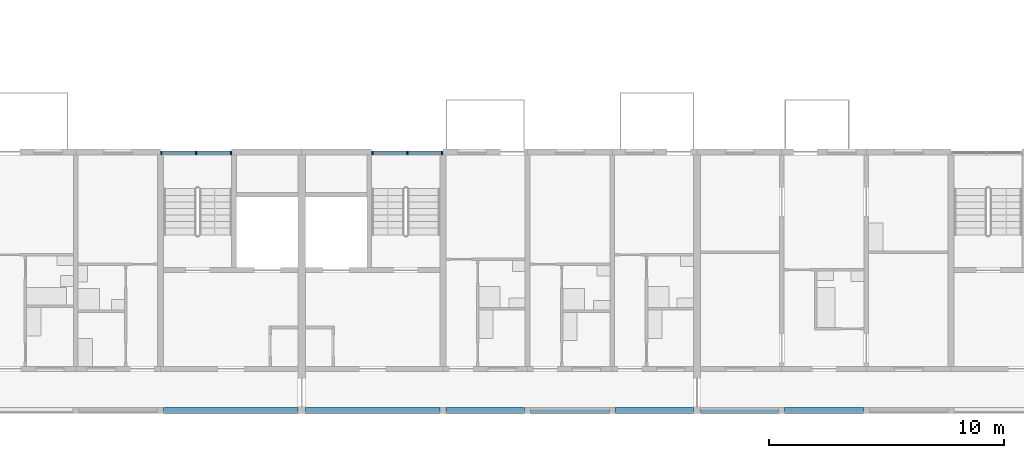
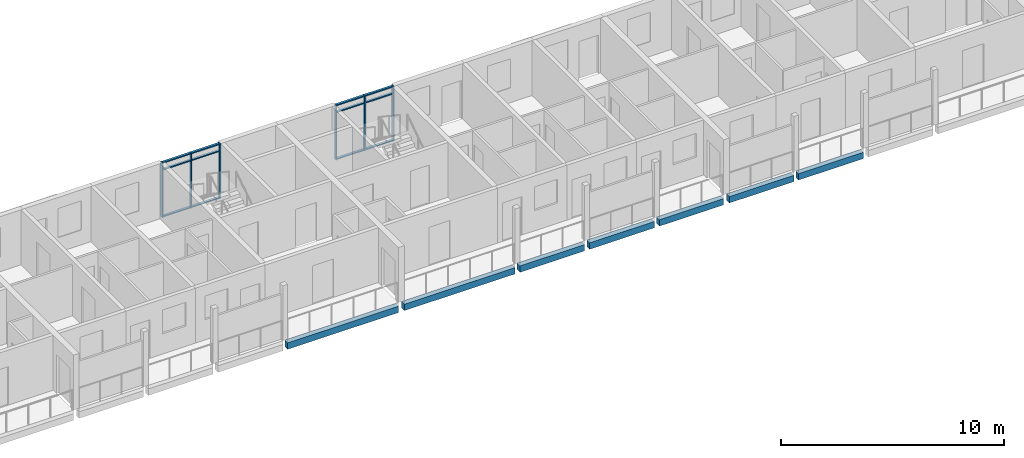
# One storey, part 6 of 87: 18 members, 7 beams, 2 elements without a shape of their own.
"""IFC4 building model written with IfcOpenShell, lengths in metres."""

from ifc_helpers import new_model, si_unit, direction, frame, origin, origin_2d, place, context, subcontext, project, spatial, rectangle, extrude, material, material_profile, profile_set, type_object, element, aggregate, save


model = new_model("IFC4")

# Units and contexts
model_context = context("Model", 3, precision=1e-05, world=origin(), true_north=direction((0.0, 1.0)))
body_context = subcontext(model_context, "Body", "Model", "MODEL_VIEW")
ifc_project = project(units=[si_unit("LENGTHUNIT", "METRE"), si_unit("AREAUNIT", "SQUARE_METRE"), si_unit("VOLUMEUNIT", "CUBIC_METRE"), si_unit("PLANEANGLEUNIT", "RADIAN"), si_unit("MASSUNIT", "GRAM", prefix="KILO")], contexts=[model_context])

# Site, building, storey
site_placement = place(None, origin())
site = spatial("IfcSite", under=ifc_project, at=site_placement, CompositionType="ELEMENT")
building_placement = place(site_placement, origin())
building = spatial("IfcBuilding", under=site, at=building_placement, Name="Ridgestep Commons", CompositionType="ELEMENT")
storey_placement = place(building_placement, frame((0.0, 0.0, 27.0)))
storey = spatial("IfcBuildingStorey", under=building, at=storey_placement, Name="L09", CompositionType="ELEMENT", Elevation=27.0)

# Beams
ifc_material_1 = material(Name="Precast concrete C40/50", Category="concrete")
ifc_material_profile_1 = material_profile(ifc_material_1, rectangle(XDim=0.25, YDim=0.35009765625, at=origin_2d()), Name="PC 250x350")
ifc_profile_set_1 = profile_set([ifc_material_profile_1], Name="Precast concrete C40/50")
beam_type = type_object("IfcBeamType", Name="Loggia edge beam 250 x 350", PredefinedType="SPANDREL", material=ifc_profile_set_1)
beam_1_placement = place(storey_placement, frame((39.72509765625, 11.875, -0.375), z_axis=(1.0, 0.0, 0.0), x_axis=(0.0, 1.0, 0.0)))
element("IfcBeam", 1, at=beam_1_placement, inside=storey, type_object=beam_type, Name="Loggia edge beam A2C L09", PredefinedType="SPANDREL", context=body_context, shape_type="SweptSolid", body=[
    extrude(rectangle(XDim=0.25, YDim=0.35009765625, at=origin_2d()), origin(), (0.0, 0.0, 1.0), 5.724853515625),
])
beam_2_placement = place(storey_placement, frame((45.75, 11.875, -0.375), z_axis=(1.0, 0.0, 0.0), x_axis=(0.0, 1.0, 0.0)))
element("IfcBeam", 2, at=beam_2_placement, inside=storey, type_object=beam_type, Name="Loggia edge beam A3C L09", PredefinedType="SPANDREL", context=body_context, shape_type="SweptSolid", body=[
    extrude(rectangle(XDim=0.25, YDim=0.35009765625, at=origin_2d()), origin(), (0.0, 0.0, 1.0), 5.72509765625),
])
beam_3_placement = place(storey_placement, frame((51.72509765625, 11.875, -0.375), z_axis=(1.0, 0.0, 0.0), x_axis=(0.0, 1.0, 0.0)))
element("IfcBeam", 3, at=beam_3_placement, inside=storey, type_object=beam_type, Name="Loggia edge beam A3T3 L09", PredefinedType="SPANDREL", context=body_context, shape_type="SweptSolid", body=[
    extrude(rectangle(XDim=0.25, YDim=0.35009765625, at=origin_2d()), origin(), (0.0, 0.0, 1.0), 3.349853515625),
])
beam_4_placement = place(storey_placement, frame((55.324951171875, 11.875, -0.375), z_axis=(1.0, 0.0, 0.0), x_axis=(0.0, 1.0, 0.0)))
element("IfcBeam", 4, at=beam_4_placement, inside=storey, type_object=beam_type, Name="Loggia edge beam A3T2 L09", PredefinedType="SPANDREL", context=body_context, shape_type="SweptSolid", body=[
    extrude(rectangle(XDim=0.25, YDim=0.35009765625, at=origin_2d()), origin(), (0.0, 0.0, 1.0), 3.35009765625),
])
for number, where, z_axis, x_axis, name in (
    (5, (58.925048828125, 11.875, -0.375), (1.0, 0.0, 0.0), (0.0, 1.0, 0.0), "Loggia edge beam A3T1 L09"),
    (6, (62.550048828125, 11.875, -0.375), (1.0, 0.0, 0.0), (0.0, 1.0, 0.0), "Loggia edge beam A4T1 L09"),
):
    element("IfcBeam", number, at=place(storey_placement, frame(where, z_axis=z_axis, x_axis=x_axis)), inside=storey, type_object=beam_type, Name=name, PredefinedType="SPANDREL", context=body_context, shape_type="SweptSolid", body=[
        extrude(rectangle(XDim=0.25, YDim=0.35009765625, at=origin_2d()), origin(), (0.0, 0.0, 1.0), 3.324951171875),
    ])
beam_5_placement = place(storey_placement, frame((66.125, 11.875, -0.375), z_axis=(1.0, 0.0, 0.0), x_axis=(0.0, 1.0, 0.0)))
element("IfcBeam", 7, at=beam_5_placement, inside=storey, type_object=beam_type, Name="Loggia edge beam A4T2 L09", PredefinedType="SPANDREL", context=body_context, shape_type="SweptSolid", body=[
    extrude(rectangle(XDim=0.25, YDim=0.35009765625, at=origin_2d()), origin(), (0.0, 0.0, 1.0), 3.35009765625),
])

# Curtain wall, members
ifc_material_2 = material(Name="Aluminium 6063-T6 and glass", Category="aluminium")
curtain_wall_type = type_object("IfcCurtainWallType", Name="Curtain wall stair strip", PredefinedType="NOTDEFINED", material=ifc_material_2)
curtain_wall_1_placement = place(storey_placement, origin())
curtain_wall_1 = element("IfcCurtainWall", 8, at=curtain_wall_1_placement, inside=storey, type_object=curtain_wall_type, Name="Curtain wall A2C level 09", PredefinedType="NOTDEFINED")
ifc_material_3 = material(Name="Aluminium 6063-T6", Category="aluminium")
ifc_material_profile_2 = material_profile(ifc_material_3, rectangle(XDim=0.159912109375, YDim=0.06005859375, at=origin_2d()), Name="Mullion 60 x 160")
ifc_profile_set_2 = profile_set([ifc_material_profile_2], Name="Aluminium 6063-T6")
member_type_1 = type_object("IfcMemberType", Name="Mullion 60 x 160", PredefinedType="MULLION", material=ifc_profile_set_2)
member_1_placement = place(storey_placement, frame((39.6298828125, 22.830078125, 0.0), z_axis=(0.0, 0.0, 1.0), x_axis=(0.0, 1.0, 0.0)))
member_1 = element("IfcMember", 9, at=member_1_placement, type_object=member_type_1, Name="CW1 mullion 1", PredefinedType="MULLION", context=body_context, shape_type="SweptSolid", body=[
    extrude(rectangle(XDim=0.159912109375, YDim=0.06005859375, at=origin_2d()), origin(), (0.0, 0.0, 1.0), 3.0),
])
member_2_placement = place(storey_placement, frame((41.112548828125, 22.830078125, 0.0), z_axis=(0.0, 0.0, 1.0), x_axis=(0.0, 1.0, 0.0)))
member_2 = element("IfcMember", 10, at=member_2_placement, type_object=member_type_1, Name="CW1 mullion 2", PredefinedType="MULLION", context=body_context, shape_type="SweptSolid", body=[
    extrude(rectangle(XDim=0.159912109375, YDim=0.06005859375, at=origin_2d()), origin(), (0.0, 0.0, 1.0), 3.0),
])
member_3_placement = place(storey_placement, frame((42.594970703125, 22.830078125, 0.0), z_axis=(0.0, 0.0, 1.0), x_axis=(0.0, 1.0, 0.0)))
member_3 = element("IfcMember", 11, at=member_3_placement, type_object=member_type_1, Name="CW1 mullion 3", PredefinedType="MULLION", context=body_context, shape_type="SweptSolid", body=[
    extrude(rectangle(XDim=0.159912109375, YDim=0.06005859375, at=origin_2d()), origin(), (0.0, 0.0, 1.0), 3.0),
])

curtain_wall_2_placement = place(storey_placement, origin())
curtain_wall_2 = element("IfcCurtainWall", 12, at=curtain_wall_2_placement, inside=storey, type_object=curtain_wall_type, Name="Curtain wall A3C level 09", PredefinedType="NOTDEFINED")
member_4_placement = place(storey_placement, frame((48.60498046875, 22.830078125, 0.0), z_axis=(0.0, 0.0, 1.0), x_axis=(0.0, 1.0, 0.0)))
member_4 = element("IfcMember", 13, at=member_4_placement, type_object=member_type_1, Name="CW1 mullion 1", PredefinedType="MULLION", context=body_context, shape_type="SweptSolid", body=[
    extrude(rectangle(XDim=0.159912109375, YDim=0.06005859375, at=origin_2d()), origin(), (0.0, 0.0, 1.0), 3.0),
])
member_5_placement = place(storey_placement, frame((50.08740234375, 22.830078125, 0.0), z_axis=(0.0, 0.0, 1.0), x_axis=(0.0, 1.0, 0.0)))
member_5 = element("IfcMember", 14, at=member_5_placement, type_object=member_type_1, Name="CW1 mullion 2", PredefinedType="MULLION", context=body_context, shape_type="SweptSolid", body=[
    extrude(rectangle(XDim=0.159912109375, YDim=0.06005859375, at=origin_2d()), origin(), (0.0, 0.0, 1.0), 3.0),
])
member_6_placement = place(storey_placement, frame((51.570068359375, 22.830078125, 0.0), z_axis=(0.0, 0.0, 1.0), x_axis=(0.0, 1.0, 0.0)))
member_6 = element("IfcMember", 15, at=member_6_placement, type_object=member_type_1, Name="CW1 mullion 3", PredefinedType="MULLION", context=body_context, shape_type="SweptSolid", body=[
    extrude(rectangle(XDim=0.159912109375, YDim=0.06005859375, at=origin_2d()), origin(), (0.0, 0.0, 1.0), 3.0),
])

# Member
ifc_material_4 = material(Name="Aluminium 6063-T6", Category="aluminium")
ifc_material_profile_3 = material_profile(ifc_material_4, rectangle(XDim=0.1201171875, YDim=0.06005859375, at=origin_2d()), Name="Transom 60 x 120")
ifc_profile_set_3 = profile_set([ifc_material_profile_3], Name="Aluminium 6063-T6")
member_type_2 = type_object("IfcMemberType", Name="Transom 60 x 120", PredefinedType="USERDEFINED", material=ifc_profile_set_3)
member_7_placement = place(storey_placement, frame((39.659912109375, 22.830078125, 0.030029296875), z_axis=(1.0, 0.0, 0.0), x_axis=(0.0, 1.0, 0.0)))
member_7 = element("IfcMember", 16, at=member_7_placement, type_object=member_type_2, Name="CW1 transom 1.1", ObjectType="TRANSOM", PredefinedType="USERDEFINED", context=body_context, shape_type="SweptSolid", body=[
    extrude(rectangle(XDim=0.1201171875, YDim=0.06005859375, at=origin_2d()), origin(), (0.0, 0.0, 1.0), 1.422607421875),
])

member_8_placement = place(storey_placement, frame((39.659912109375, 22.830078125, 2.590087890625), z_axis=(1.0, 0.0, 0.0), x_axis=(0.0, 1.0, 0.0)))
member_8 = element("IfcMember", 17, at=member_8_placement, type_object=member_type_2, Name="CW1 transom 1.2", ObjectType="TRANSOM", PredefinedType="USERDEFINED", context=body_context, shape_type="SweptSolid", body=[
    extrude(rectangle(XDim=0.1201171875, YDim=0.06005859375, at=origin_2d()), origin(), (0.0, 0.0, 1.0), 1.422607421875),
])

member_9_placement = place(storey_placement, frame((39.659912109375, 22.830078125, 2.969970703125), z_axis=(1.0, 0.0, 0.0), x_axis=(0.0, 1.0, 0.0)))
member_9 = element("IfcMember", 18, at=member_9_placement, type_object=member_type_2, Name="CW1 transom 1.3", ObjectType="TRANSOM", PredefinedType="USERDEFINED", context=body_context, shape_type="SweptSolid", body=[
    extrude(rectangle(XDim=0.1201171875, YDim=0.06005859375, at=origin_2d()), origin(), (0.0, 0.0, 1.0), 1.422607421875),
])

member_10_placement = place(storey_placement, frame((41.142578125, 22.830078125, 0.030029296875), z_axis=(1.0, 0.0, 0.0), x_axis=(0.0, 1.0, 0.0)))
member_10 = element("IfcMember", 19, at=member_10_placement, type_object=member_type_2, Name="CW1 transom 2.1", ObjectType="TRANSOM", PredefinedType="USERDEFINED", context=body_context, shape_type="SweptSolid", body=[
    extrude(rectangle(XDim=0.1201171875, YDim=0.06005859375, at=origin_2d()), origin(), (0.0, 0.0, 1.0), 1.42236328125),
])

member_11_placement = place(storey_placement, frame((41.142578125, 22.830078125, 2.590087890625), z_axis=(1.0, 0.0, 0.0), x_axis=(0.0, 1.0, 0.0)))
member_11 = element("IfcMember", 20, at=member_11_placement, type_object=member_type_2, Name="CW1 transom 2.2", ObjectType="TRANSOM", PredefinedType="USERDEFINED", context=body_context, shape_type="SweptSolid", body=[
    extrude(rectangle(XDim=0.1201171875, YDim=0.06005859375, at=origin_2d()), origin(), (0.0, 0.0, 1.0), 1.42236328125),
])

member_12_placement = place(storey_placement, frame((41.142578125, 22.830078125, 2.969970703125), z_axis=(1.0, 0.0, 0.0), x_axis=(0.0, 1.0, 0.0)))
member_12 = element("IfcMember", 21, at=member_12_placement, type_object=member_type_2, Name="CW1 transom 2.3", ObjectType="TRANSOM", PredefinedType="USERDEFINED", context=body_context, shape_type="SweptSolid", body=[
    extrude(rectangle(XDim=0.1201171875, YDim=0.06005859375, at=origin_2d()), origin(), (0.0, 0.0, 1.0), 1.42236328125),
])

aggregate(curtain_wall_1, [member_1, member_2, member_3, member_7, member_8, member_9, member_10, member_11, member_12])

member_13_placement = place(storey_placement, frame((48.635009765625, 22.830078125, 0.030029296875), z_axis=(1.0, 0.0, 0.0), x_axis=(0.0, 1.0, 0.0)))
member_13 = element("IfcMember", 22, at=member_13_placement, type_object=member_type_2, Name="CW1 transom 1.1", ObjectType="TRANSOM", PredefinedType="USERDEFINED", context=body_context, shape_type="SweptSolid", body=[
    extrude(rectangle(XDim=0.1201171875, YDim=0.06005859375, at=origin_2d()), origin(), (0.0, 0.0, 1.0), 1.422607421875),
])

member_14_placement = place(storey_placement, frame((48.635009765625, 22.830078125, 2.590087890625), z_axis=(1.0, 0.0, 0.0), x_axis=(0.0, 1.0, 0.0)))
member_14 = element("IfcMember", 23, at=member_14_placement, type_object=member_type_2, Name="CW1 transom 1.2", ObjectType="TRANSOM", PredefinedType="USERDEFINED", context=body_context, shape_type="SweptSolid", body=[
    extrude(rectangle(XDim=0.1201171875, YDim=0.06005859375, at=origin_2d()), origin(), (0.0, 0.0, 1.0), 1.422607421875),
])

member_15_placement = place(storey_placement, frame((48.635009765625, 22.830078125, 2.969970703125), z_axis=(1.0, 0.0, 0.0), x_axis=(0.0, 1.0, 0.0)))
member_15 = element("IfcMember", 24, at=member_15_placement, type_object=member_type_2, Name="CW1 transom 1.3", ObjectType="TRANSOM", PredefinedType="USERDEFINED", context=body_context, shape_type="SweptSolid", body=[
    extrude(rectangle(XDim=0.1201171875, YDim=0.06005859375, at=origin_2d()), origin(), (0.0, 0.0, 1.0), 1.422607421875),
])

member_16_placement = place(storey_placement, frame((50.117431640625, 22.830078125, 0.030029296875), z_axis=(1.0, 0.0, 0.0), x_axis=(0.0, 1.0, 0.0)))
member_16 = element("IfcMember", 25, at=member_16_placement, type_object=member_type_2, Name="CW1 transom 2.1", ObjectType="TRANSOM", PredefinedType="USERDEFINED", context=body_context, shape_type="SweptSolid", body=[
    extrude(rectangle(XDim=0.1201171875, YDim=0.06005859375, at=origin_2d()), origin(), (0.0, 0.0, 1.0), 1.422607421875),
])

member_17_placement = place(storey_placement, frame((50.117431640625, 22.830078125, 2.590087890625), z_axis=(1.0, 0.0, 0.0), x_axis=(0.0, 1.0, 0.0)))
member_17 = element("IfcMember", 26, at=member_17_placement, type_object=member_type_2, Name="CW1 transom 2.2", ObjectType="TRANSOM", PredefinedType="USERDEFINED", context=body_context, shape_type="SweptSolid", body=[
    extrude(rectangle(XDim=0.1201171875, YDim=0.06005859375, at=origin_2d()), origin(), (0.0, 0.0, 1.0), 1.422607421875),
])

member_18_placement = place(storey_placement, frame((50.117431640625, 22.830078125, 2.969970703125), z_axis=(1.0, 0.0, 0.0), x_axis=(0.0, 1.0, 0.0)))
member_18 = element("IfcMember", 27, at=member_18_placement, type_object=member_type_2, Name="CW1 transom 2.3", ObjectType="TRANSOM", PredefinedType="USERDEFINED", context=body_context, shape_type="SweptSolid", body=[
    extrude(rectangle(XDim=0.1201171875, YDim=0.06005859375, at=origin_2d()), origin(), (0.0, 0.0, 1.0), 1.422607421875),
])

aggregate(curtain_wall_2, [member_4, member_5, member_6, member_13, member_14, member_15, member_16, member_17, member_18])

save(model, "model.ifc")
